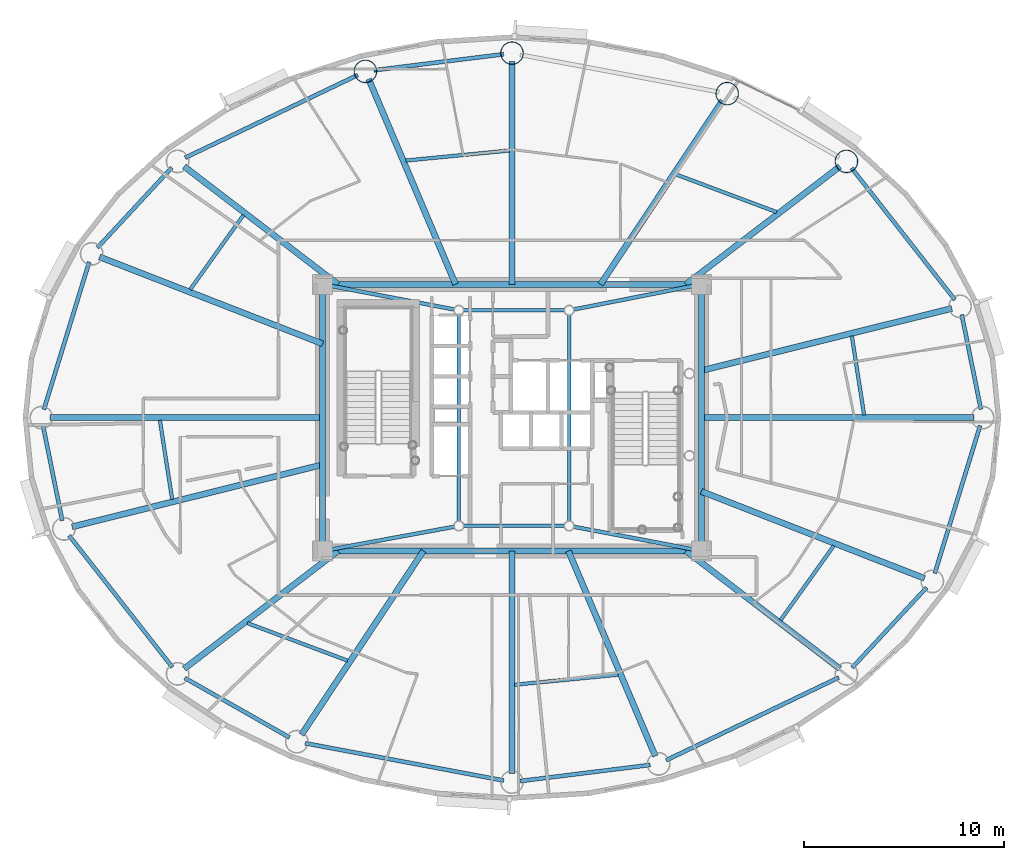
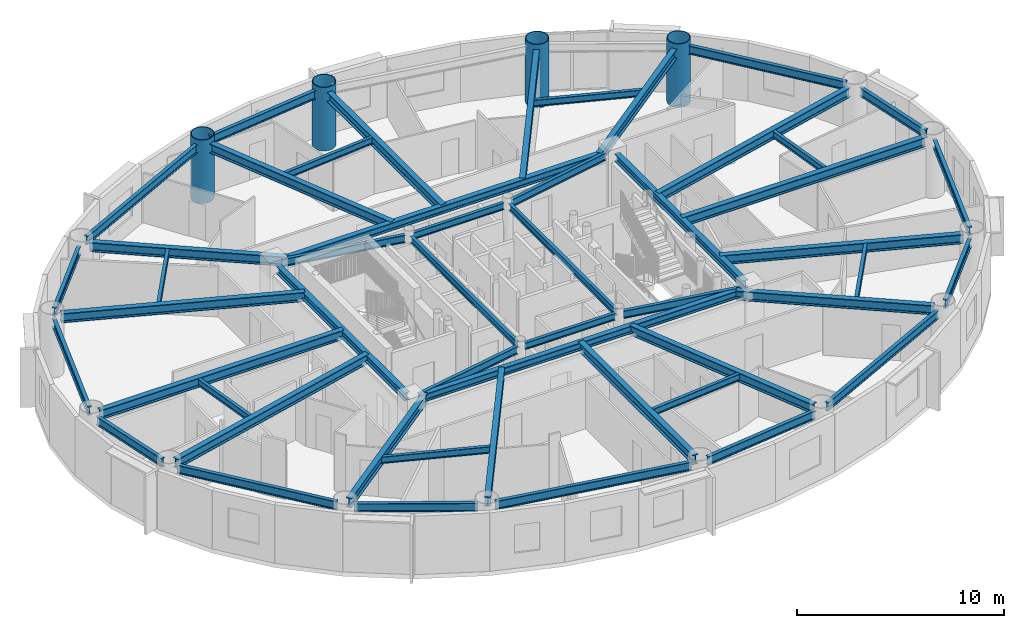
# One storey, part 3 of 18: 50 beams, 4 columns.
"""IFC4 building model written with IfcOpenShell, lengths in metres."""

from ifc_helpers import new_model, si_unit, direction, frame, origin, origin_2d, place, context, subcontext, project, spatial, hollow_circle, i_section, extrude, material, material_profile, profile_set, type_object, element, save


model = new_model("IFC4")

# Units and contexts
model_context = context("Model", 3, precision=1e-05, world=origin(), true_north=direction((0.0, 1.0)))
body_context = subcontext(model_context, "Body", "Model", "MODEL_VIEW")
ifc_project = project(units=[si_unit("LENGTHUNIT", "METRE"), si_unit("AREAUNIT", "SQUARE_METRE"), si_unit("VOLUMEUNIT", "CUBIC_METRE"), si_unit("PLANEANGLEUNIT", "RADIAN"), si_unit("MASSUNIT", "GRAM", prefix="KILO")], contexts=[model_context])

# Site, building, storey
site_placement = place(None, origin())
site = spatial("IfcSite", under=ifc_project, at=site_placement, CompositionType="ELEMENT")
building_placement = place(site_placement, origin())
building = spatial("IfcBuilding", under=site, at=building_placement, Name="Linh Dai School and Residence Tower", CompositionType="ELEMENT")
storey_placement = place(building_placement, frame((0.0, 0.0, 259.050048828125)))
storey = spatial("IfcBuildingStorey", under=building, at=storey_placement, Name="L64", CompositionType="ELEMENT", Elevation=259.050048828125)

# Columns
ifc_material = material(Name="Structural Steel S355JR", Category="steel")
ifc_material_profile_1 = material_profile(ifc_material, hollow_circle(Radius=0.574951171875, WallThickness=0.035888671875, at=origin_2d()), Name="CHS 1150x36")
ifc_profile_set_1 = profile_set([ifc_material_profile_1], Name="Structural Steel S355JR")
column_type = type_object("IfcColumnType", Name="COL-MC5", PredefinedType="COLUMN", material=ifc_profile_set_1)
for number, where, z_axis, x_axis, name in (
    (1, (52.68310546875, 39.781005859375, 0.0), (0.0, 0.0, 1.0), (1.0, 0.0, 0.0), "L64 Perimeter CFT Mega-Column MC03"),
    (2, (46.734619140625, 43.16357421875, 0.0), (0.0, 0.0, 1.0), (1.0, 0.0, 0.0), "L64 Perimeter CFT Mega-Column MC04"),
    (3, (36.0, 45.179931640625, 0.0), (0.0, 0.0, 1.0), (1.0, 0.0, 0.0), "L64 Perimeter CFT Mega-Column MC05"),
    (4, (28.68798828125, 44.2734375, 0.0), (0.0, 0.0, 1.0), (1.0, 0.0, 0.0), "L64 Perimeter CFT Mega-Column MC06"),
):
    element("IfcColumn", number, at=place(storey_placement, frame(where, z_axis=z_axis, x_axis=x_axis)), inside=storey, type_object=column_type, Name=name, PredefinedType="COLUMN", context=body_context, shape_type="SweptSolid", body=[
        extrude(hollow_circle(Radius=0.574951171875, WallThickness=0.035888671875, at=origin_2d()), origin(), (0.0, 0.0, 1.0), 3.75),
    ])

# Beams
ifc_material_profile_2 = material_profile(ifc_material, i_section(OverallWidth=0.199951171875, OverallDepth=0.5, WebThickness=0.01025390625, FlangeThickness=0.01611328125, FilletRadius=0.02099609375, at=origin_2d()), Name="IPE 500")
ifc_profile_set_2 = profile_set([ifc_material_profile_2], Name="Structural Steel S355JR")
beam_type_1 = type_object("IfcBeamType", Name="BM-RB50", PredefinedType="BEAM", material=ifc_profile_set_2)
beam_1_placement = place(storey_placement, frame((59.3916015625, 27.41162109375, 3.199951171875), z_axis=(-0.198423200906, 0.980116438666, 0.0), x_axis=(-0.980116438666, -0.198423200906, 0.0)))
element("IfcBeam", 5, at=beam_1_placement, inside=storey, type_object=beam_type_1, Name="L64 Perimeter Elliptical Ring Beam 01", PredefinedType="BEAM", context=body_context, shape_type="SweptSolid", body=[
    extrude(i_section(OverallWidth=0.199951171875, OverallDepth=0.5, WebThickness=0.01025390625, FlangeThickness=0.01611328125, FilletRadius=0.02099609375, at=origin_2d()), origin(), (0.0, 0.0, 1.0), 4.822021484375),
])
beam_2_placement = place(storey_placement, frame((58.09228515625, 32.8798828125, 3.199951171875), z_axis=(-0.616900268003, 0.787041332674, 0.0), x_axis=(-0.787041332674, -0.616900268003, 0.0)))
element("IfcBeam", 6, at=beam_2_placement, inside=storey, type_object=beam_type_1, Name="L64 Perimeter Elliptical Ring Beam 02", PredefinedType="BEAM", context=body_context, shape_type="SweptSolid", body=[
    extrude(i_section(OverallWidth=0.199951171875, OverallDepth=0.5, WebThickness=0.01025390625, FlangeThickness=0.01611328125, FilletRadius=0.02099609375, at=origin_2d()), origin(), (0.0, 0.0, 1.0), 8.348388671875),
])
beam_3_placement = place(storey_placement, frame((35.583251953125, 45.12841796875, 3.199951171875), z_axis=(-0.992401656104, -0.123040452539, 0.0), x_axis=(0.123040452539, -0.992401656104, 0.0)))
element("IfcBeam", 7, at=beam_3_placement, inside=storey, type_object=beam_type_1, Name="L64 Perimeter Elliptical Ring Beam 05", PredefinedType="BEAM", context=body_context, shape_type="SweptSolid", body=[
    extrude(i_section(OverallWidth=0.199951171875, OverallDepth=0.5, WebThickness=0.01025390625, FlangeThickness=0.01611328125, FilletRadius=0.02099609375, at=origin_2d()), origin(), (0.0, 0.0, 1.0), 6.528076171875),
])
beam_4_placement = place(storey_placement, frame((28.309326171875, 44.092041015625, 3.199951171875), z_axis=(-0.901735920201, -0.432287323686, 0.0), x_axis=(0.432287323686, -0.901735920201, 0.0)))
element("IfcBeam", 8, at=beam_4_placement, inside=storey, type_object=beam_type_1, Name="L64 Perimeter Elliptical Ring Beam 06", PredefinedType="BEAM", context=body_context, shape_type="SweptSolid", body=[
    extrude(i_section(OverallWidth=0.199951171875, OverallDepth=0.5, WebThickness=0.01025390625, FlangeThickness=0.01611328125, FilletRadius=0.02099609375, at=origin_2d()), origin(), (0.0, 0.0, 1.0), 9.552490234375),
])
beam_5_placement = place(storey_placement, frame((19.031005859375, 39.47314453125, 3.199951171875), z_axis=(-0.68040816846, -0.732833353699, 0.0), x_axis=(0.732833353699, -0.68040816846, 0.0)))
element("IfcBeam", 9, at=beam_5_placement, inside=storey, type_object=beam_type_1, Name="L64 Perimeter Elliptical Ring Beam 07", PredefinedType="BEAM", context=body_context, shape_type="SweptSolid", body=[
    extrude(i_section(OverallWidth=0.199951171875, OverallDepth=0.5, WebThickness=0.01025390625, FlangeThickness=0.01611328125, FilletRadius=0.02099609375, at=origin_2d()), origin(), (0.0, 0.0, 1.0), 5.453369140625),
])
beam_6_placement = place(storey_placement, frame((14.911376953125, 34.767578125, 3.199951171875), z_axis=(-0.293660595717, -0.95590975229, 0.0), x_axis=(0.95590975229, -0.293660595717, 0.0)))
element("IfcBeam", 10, at=beam_6_placement, inside=storey, type_object=beam_type_1, Name="L64 Perimeter Elliptical Ring Beam 08", PredefinedType="BEAM", context=body_context, shape_type="SweptSolid", body=[
    extrude(i_section(OverallWidth=0.199951171875, OverallDepth=0.5, WebThickness=0.01025390625, FlangeThickness=0.01611328125, FilletRadius=0.02099609375, at=origin_2d()), origin(), (0.0, 0.0, 1.0), 7.7060546875),
])
beam_7_placement = place(storey_placement, frame((12.6083984375, 26.58837890625, 3.199951171875), z_axis=(0.198423200906, -0.980116438666, 0.0), x_axis=(0.980116438666, 0.198423200906, 0.0)))
element("IfcBeam", 11, at=beam_7_placement, inside=storey, type_object=beam_type_1, Name="L64 Perimeter Elliptical Ring Beam 09", PredefinedType="BEAM", context=body_context, shape_type="SweptSolid", body=[
    extrude(i_section(OverallWidth=0.199951171875, OverallDepth=0.5, WebThickness=0.01025390625, FlangeThickness=0.01611328125, FilletRadius=0.02099609375, at=origin_2d()), origin(), (0.0, 0.0, 1.0), 4.822021484375),
])
beam_8_placement = place(storey_placement, frame((13.90771484375, 21.1201171875, 3.199951171875), z_axis=(0.616900268003, -0.787041332674, 0.0), x_axis=(0.787041332674, 0.616900268003, 0.0)))
element("IfcBeam", 12, at=beam_8_placement, inside=storey, type_object=beam_type_1, Name="L64 Perimeter Elliptical Ring Beam 10", PredefinedType="BEAM", context=body_context, shape_type="SweptSolid", body=[
    extrude(i_section(OverallWidth=0.199951171875, OverallDepth=0.5, WebThickness=0.01025390625, FlangeThickness=0.01611328125, FilletRadius=0.02099609375, at=origin_2d()), origin(), (0.0, 0.0, 1.0), 8.348388671875),
])
beam_9_placement = place(storey_placement, frame((19.681884765625, 14.011474609375, 3.199951171875), z_axis=(0.869297314463, -0.494289570058, 0.0), x_axis=(0.494289570058, 0.869297314463, 0.0)))
element("IfcBeam", 13, at=beam_9_placement, inside=storey, type_object=beam_type_1, Name="L64 Perimeter Elliptical Ring Beam 11", PredefinedType="BEAM", context=body_context, shape_type="SweptSolid", body=[
    extrude(i_section(OverallWidth=0.199951171875, OverallDepth=0.5, WebThickness=0.01025390625, FlangeThickness=0.01611328125, FilletRadius=0.02099609375, at=origin_2d()), origin(), (0.0, 0.0, 1.0), 6.003173828125),
])
beam_10_placement = place(storey_placement, frame((25.67822265625, 10.759033203125, 3.199951171875), z_axis=(0.982806607762, -0.184637947722, 0.0), x_axis=(0.184637947722, 0.982806607762, 0.0)))
element("IfcBeam", 14, at=beam_10_placement, inside=storey, type_object=beam_type_1, Name="L64 Perimeter Elliptical Ring Beam 12", PredefinedType="BEAM", context=body_context, shape_type="SweptSolid", body=[
    extrude(i_section(OverallWidth=0.199951171875, OverallDepth=0.5, WebThickness=0.01025390625, FlangeThickness=0.01611328125, FilletRadius=0.02099609375, at=origin_2d()), origin(), (0.0, 0.0, 1.0), 10.082275390625),
])
beam_11_placement = place(storey_placement, frame((36.416748046875, 8.87158203125, 3.199951171875), z_axis=(0.992401656104, 0.123040452539, 0.0), x_axis=(-0.123040452539, 0.992401656104, 0.0)))
element("IfcBeam", 15, at=beam_11_placement, inside=storey, type_object=beam_type_1, Name="L64 Perimeter Elliptical Ring Beam 13", PredefinedType="BEAM", context=body_context, shape_type="SweptSolid", body=[
    extrude(i_section(OverallWidth=0.199951171875, OverallDepth=0.5, WebThickness=0.01025390625, FlangeThickness=0.01611328125, FilletRadius=0.02099609375, at=origin_2d()), origin(), (0.0, 0.0, 1.0), 6.528076171875),
])
beam_12_placement = place(storey_placement, frame((43.690673828125, 9.907958984375, 3.199951171875), z_axis=(0.901735920201, 0.432287323686, 0.0), x_axis=(-0.432287323686, 0.901735920201, 0.0)))
element("IfcBeam", 16, at=beam_12_placement, inside=storey, type_object=beam_type_1, Name="L64 Perimeter Elliptical Ring Beam 14", PredefinedType="BEAM", context=body_context, shape_type="SweptSolid", body=[
    extrude(i_section(OverallWidth=0.199951171875, OverallDepth=0.5, WebThickness=0.01025390625, FlangeThickness=0.01611328125, FilletRadius=0.02099609375, at=origin_2d()), origin(), (0.0, 0.0, 1.0), 9.552490234375),
])
beam_13_placement = place(storey_placement, frame((52.968994140625, 14.52685546875, 3.199951171875), z_axis=(0.68040816846, 0.732833353699, 0.0), x_axis=(-0.732833353699, 0.68040816846, 0.0)))
element("IfcBeam", 17, at=beam_13_placement, inside=storey, type_object=beam_type_1, Name="L64 Perimeter Elliptical Ring Beam 15", PredefinedType="BEAM", context=body_context, shape_type="SweptSolid", body=[
    extrude(i_section(OverallWidth=0.199951171875, OverallDepth=0.5, WebThickness=0.01025390625, FlangeThickness=0.01611328125, FilletRadius=0.02099609375, at=origin_2d()), origin(), (0.0, 0.0, 1.0), 5.453369140625),
])
beam_14_placement = place(storey_placement, frame((57.088623046875, 19.232421875, 3.199951171875), z_axis=(0.293660595717, 0.95590975229, 0.0), x_axis=(-0.95590975229, 0.293660595717, 0.0)))
element("IfcBeam", 18, at=beam_14_placement, inside=storey, type_object=beam_type_1, Name="L64 Perimeter Elliptical Ring Beam 16", PredefinedType="BEAM", context=body_context, shape_type="SweptSolid", body=[
    extrude(i_section(OverallWidth=0.199951171875, OverallDepth=0.5, WebThickness=0.01025390625, FlangeThickness=0.01611328125, FilletRadius=0.02099609375, at=origin_2d()), origin(), (0.0, 0.0, 1.0), 7.7060546875),
])
ifc_material_profile_3 = material_profile(ifc_material, i_section(OverallWidth=0.300048828125, OverallDepth=0.449951171875, WebThickness=0.013916015625, FlangeThickness=0.02587890625, FilletRadius=0.027099609375, at=origin_2d()), Name="HEB 450")
ifc_profile_set_3 = profile_set([ifc_material_profile_3], Name="Structural Steel S355JR")
beam_type_2 = type_object("IfcBeamType", Name="BM-RG45", PredefinedType="BEAM", material=ifc_profile_set_3)
beam_15_placement = place(storey_placement, frame((26.969970703125, 20.35009765625, 3.224853515625), z_axis=(1.0, 0.0, 0.0), x_axis=(0.0, 1.0, 0.0)))
element("IfcBeam", 19, at=beam_15_placement, inside=storey, type_object=beam_type_2, Name="L64 Core Perimeter Coupling Girder 1", PredefinedType="BEAM", context=body_context, shape_type="SweptSolid", body=[
    extrude(i_section(OverallWidth=0.300048828125, OverallDepth=0.449951171875, WebThickness=0.013916015625, FlangeThickness=0.02587890625, FilletRadius=0.027099609375, at=origin_2d()), origin(), (0.0, 0.0, 1.0), 18.06005859375),
])
beam_16_placement = place(storey_placement, frame((45.449951171875, 20.77001953125, 3.224853515625), z_axis=(0.0, 1.0, 0.0), x_axis=(-1.0, 0.0, 0.0)))
element("IfcBeam", 20, at=beam_16_placement, inside=storey, type_object=beam_type_2, Name="L64 Core Perimeter Coupling Girder 2", PredefinedType="BEAM", context=body_context, shape_type="SweptSolid", body=[
    extrude(i_section(OverallWidth=0.300048828125, OverallDepth=0.449951171875, WebThickness=0.013916015625, FlangeThickness=0.02587890625, FilletRadius=0.027099609375, at=origin_2d()), origin(), (0.0, 0.0, 1.0), 12.4599609375),
])
beam_17_placement = place(storey_placement, frame((45.030029296875, 33.64990234375, 3.224853515625), z_axis=(-1.0, 0.0, 0.0), x_axis=(0.0, -1.0, 0.0)))
element("IfcBeam", 21, at=beam_17_placement, inside=storey, type_object=beam_type_2, Name="L64 Core Perimeter Coupling Girder 3", PredefinedType="BEAM", context=body_context, shape_type="SweptSolid", body=[
    extrude(i_section(OverallWidth=0.300048828125, OverallDepth=0.449951171875, WebThickness=0.013916015625, FlangeThickness=0.02587890625, FilletRadius=0.027099609375, at=origin_2d()), origin(), (0.0, 0.0, 1.0), 18.06005859375),
])
beam_18_placement = place(storey_placement, frame((26.550048828125, 33.22998046875, 3.224853515625), z_axis=(0.0, -1.0, 0.0), x_axis=(1.0, 0.0, 0.0)))
element("IfcBeam", 22, at=beam_18_placement, inside=storey, type_object=beam_type_2, Name="L64 Core Perimeter Coupling Girder 4", PredefinedType="BEAM", context=body_context, shape_type="SweptSolid", body=[
    extrude(i_section(OverallWidth=0.300048828125, OverallDepth=0.449951171875, WebThickness=0.013916015625, FlangeThickness=0.02587890625, FilletRadius=0.027099609375, at=origin_2d()), origin(), (0.0, 0.0, 1.0), 12.4599609375),
])
ifc_material_profile_4 = material_profile(ifc_material, i_section(OverallWidth=0.300048828125, OverallDepth=0.550048828125, WebThickness=0.014892578125, FlangeThickness=0.029052734375, FilletRadius=0.027099609375, at=origin_2d()), Name="HEB 550")
ifc_profile_set_4 = profile_set([ifc_material_profile_4], Name="Structural Steel S355JR")
beam_type_3 = type_object("IfcBeamType", Name="BM-RG55", PredefinedType="BEAM", material=ifc_profile_set_4)
beam_19_placement = place(storey_placement, frame((45.449951171875, 27.0, 3.175048828125), z_axis=(1.0, 0.0, 0.0), x_axis=(0.0, 1.0, 0.0)))
element("IfcBeam", 23, at=beam_19_placement, inside=storey, type_object=beam_type_3, Name="L64 Primary Radial Floor Girder 01", PredefinedType="BEAM", context=body_context, shape_type="SweptSolid", body=[
    extrude(i_section(OverallWidth=0.300048828125, OverallDepth=0.550048828125, WebThickness=0.014892578125, FlangeThickness=0.029052734375, FilletRadius=0.027099609375, at=origin_2d()), origin(), (0.0, 0.0, 1.0), 13.60498046875),
])
beam_20_placement = place(storey_placement, frame((45.449951171875, 29.34619140625, 3.175048828125), z_axis=(0.970537241974, 0.240951160904, 0.0), x_axis=(-0.240951160904, 0.970537241974, 0.0)))
element("IfcBeam", 24, at=beam_20_placement, inside=storey, type_object=beam_type_3, Name="L64 Primary Radial Floor Girder 02", PredefinedType="BEAM", context=body_context, shape_type="SweptSolid", body=[
    extrude(i_section(OverallWidth=0.300048828125, OverallDepth=0.550048828125, WebThickness=0.014892578125, FlangeThickness=0.029052734375, FilletRadius=0.027099609375, at=origin_2d()), origin(), (0.0, 0.0, 1.0), 12.873291015625),
])
beam_21_placement = place(storey_placement, frame((44.680419921875, 33.64990234375, 3.175048828125), z_axis=(0.793814553483, 0.608159892363, 0.0), x_axis=(-0.608159892363, 0.793814553483, 0.0)))
element("IfcBeam", 25, at=beam_21_placement, inside=storey, type_object=beam_type_3, Name="L64 Primary Radial Floor Girder 03", PredefinedType="BEAM", context=body_context, shape_type="SweptSolid", body=[
    extrude(i_section(OverallWidth=0.300048828125, OverallDepth=0.550048828125, WebThickness=0.014892578125, FlangeThickness=0.029052734375, FilletRadius=0.027099609375, at=origin_2d()), origin(), (0.0, 0.0, 1.0), 9.661376953125),
])
beam_22_placement = place(storey_placement, frame((40.41650390625, 33.64990234375, 3.175048828125), z_axis=(0.553219177991, 0.833035738191, 0.0), x_axis=(-0.833035738191, 0.553219177991, 0.0)))
element("IfcBeam", 26, at=beam_22_placement, inside=storey, type_object=beam_type_3, Name="L64 Primary Radial Floor Girder 04", PredefinedType="BEAM", context=body_context, shape_type="SweptSolid", body=[
    extrude(i_section(OverallWidth=0.300048828125, OverallDepth=0.550048828125, WebThickness=0.014892578125, FlangeThickness=0.029052734375, FilletRadius=0.027099609375, at=origin_2d()), origin(), (0.0, 0.0, 1.0), 11.00048828125),
])
beam_23_placement = place(storey_placement, frame((36.0, 33.64990234375, 3.175048828125), z_axis=(0.0, 1.0, 0.0), x_axis=(-1.0, 0.0, 0.0)))
element("IfcBeam", 27, at=beam_23_placement, inside=storey, type_object=beam_type_3, Name="L64 Primary Radial Floor Girder 05", PredefinedType="BEAM", context=body_context, shape_type="SweptSolid", body=[
    extrude(i_section(OverallWidth=0.300048828125, OverallDepth=0.550048828125, WebThickness=0.014892578125, FlangeThickness=0.029052734375, FilletRadius=0.027099609375, at=origin_2d()), origin(), (0.0, 0.0, 1.0), 11.110107421875),
])
beam_24_placement = place(storey_placement, frame((33.18505859375, 33.64990234375, 3.175048828125), z_axis=(-0.389814803082, 0.920893272479, 0.0), x_axis=(-0.920893272479, -0.389814803082, 0.0)))
element("IfcBeam", 28, at=beam_24_placement, inside=storey, type_object=beam_type_3, Name="L64 Primary Radial Floor Girder 06", PredefinedType="BEAM", context=body_context, shape_type="SweptSolid", body=[
    extrude(i_section(OverallWidth=0.300048828125, OverallDepth=0.550048828125, WebThickness=0.014892578125, FlangeThickness=0.029052734375, FilletRadius=0.027099609375, at=origin_2d()), origin(), (0.0, 0.0, 1.0), 11.1162109375),
])
beam_25_placement = place(storey_placement, frame((27.319580078125, 33.64990234375, 3.175048828125), z_axis=(-0.793814553483, 0.608159892363, 0.0), x_axis=(-0.608159892363, -0.793814553483, 0.0)))
element("IfcBeam", 29, at=beam_25_placement, inside=storey, type_object=beam_type_3, Name="L64 Primary Radial Floor Girder 07", PredefinedType="BEAM", context=body_context, shape_type="SweptSolid", body=[
    extrude(i_section(OverallWidth=0.300048828125, OverallDepth=0.550048828125, WebThickness=0.014892578125, FlangeThickness=0.029052734375, FilletRadius=0.027099609375, at=origin_2d()), origin(), (0.0, 0.0, 1.0), 9.661376953125),
])
beam_26_placement = place(storey_placement, frame((26.550048828125, 30.68212890625, 3.175048828125), z_axis=(-0.931764994123, 0.363061972295, 0.0), x_axis=(-0.363061972295, -0.931764994123, 0.0)))
element("IfcBeam", 30, at=beam_26_placement, inside=storey, type_object=beam_type_3, Name="L64 Primary Radial Floor Girder 08", PredefinedType="BEAM", context=body_context, shape_type="SweptSolid", body=[
    extrude(i_section(OverallWidth=0.300048828125, OverallDepth=0.550048828125, WebThickness=0.014892578125, FlangeThickness=0.029052734375, FilletRadius=0.027099609375, at=origin_2d()), origin(), (0.0, 0.0, 1.0), 11.938720703125),
])
beam_27_placement = place(storey_placement, frame((26.550048828125, 27.0, 3.175048828125), z_axis=(-1.0, 0.0, 0.0), x_axis=(0.0, -1.0, 0.0)))
element("IfcBeam", 31, at=beam_27_placement, inside=storey, type_object=beam_type_3, Name="L64 Primary Radial Floor Girder 09", PredefinedType="BEAM", context=body_context, shape_type="SweptSolid", body=[
    extrude(i_section(OverallWidth=0.300048828125, OverallDepth=0.550048828125, WebThickness=0.014892578125, FlangeThickness=0.029052734375, FilletRadius=0.027099609375, at=origin_2d()), origin(), (0.0, 0.0, 1.0), 13.60498046875),
])
beam_28_placement = place(storey_placement, frame((26.550048828125, 24.65380859375, 3.175048828125), z_axis=(-0.970537241974, -0.240951160904, 0.0), x_axis=(0.240951160904, -0.970537241974, 0.0)))
element("IfcBeam", 32, at=beam_28_placement, inside=storey, type_object=beam_type_3, Name="L64 Primary Radial Floor Girder 10", PredefinedType="BEAM", context=body_context, shape_type="SweptSolid", body=[
    extrude(i_section(OverallWidth=0.300048828125, OverallDepth=0.550048828125, WebThickness=0.014892578125, FlangeThickness=0.029052734375, FilletRadius=0.027099609375, at=origin_2d()), origin(), (0.0, 0.0, 1.0), 12.873291015625),
])
beam_29_placement = place(storey_placement, frame((27.319580078125, 20.35009765625, 3.175048828125), z_axis=(-0.793814553483, -0.608159892363, 0.0), x_axis=(0.608159892363, -0.793814553483, 0.0)))
element("IfcBeam", 33, at=beam_29_placement, inside=storey, type_object=beam_type_3, Name="L64 Primary Radial Floor Girder 11", PredefinedType="BEAM", context=body_context, shape_type="SweptSolid", body=[
    extrude(i_section(OverallWidth=0.300048828125, OverallDepth=0.550048828125, WebThickness=0.014892578125, FlangeThickness=0.029052734375, FilletRadius=0.027099609375, at=origin_2d()), origin(), (0.0, 0.0, 1.0), 9.661376953125),
])
beam_30_placement = place(storey_placement, frame((31.58349609375, 20.35009765625, 3.175048828125), z_axis=(-0.553219177991, -0.833035738191, 0.0), x_axis=(0.833035738191, -0.553219177991, 0.0)))
element("IfcBeam", 34, at=beam_30_placement, inside=storey, type_object=beam_type_3, Name="L64 Primary Radial Floor Girder 12", PredefinedType="BEAM", context=body_context, shape_type="SweptSolid", body=[
    extrude(i_section(OverallWidth=0.300048828125, OverallDepth=0.550048828125, WebThickness=0.014892578125, FlangeThickness=0.029052734375, FilletRadius=0.027099609375, at=origin_2d()), origin(), (0.0, 0.0, 1.0), 11.00048828125),
])
beam_31_placement = place(storey_placement, frame((36.0, 20.35009765625, 3.175048828125), z_axis=(0.0, -1.0, 0.0), x_axis=(1.0, 0.0, 0.0)))
element("IfcBeam", 35, at=beam_31_placement, inside=storey, type_object=beam_type_3, Name="L64 Primary Radial Floor Girder 13", PredefinedType="BEAM", context=body_context, shape_type="SweptSolid", body=[
    extrude(i_section(OverallWidth=0.300048828125, OverallDepth=0.550048828125, WebThickness=0.014892578125, FlangeThickness=0.029052734375, FilletRadius=0.027099609375, at=origin_2d()), origin(), (0.0, 0.0, 1.0), 11.110107421875),
])
beam_32_placement = place(storey_placement, frame((38.81494140625, 20.35009765625, 3.175048828125), z_axis=(0.389814803082, -0.920893272479, 0.0), x_axis=(0.920893272479, 0.389814803082, 0.0)))
element("IfcBeam", 36, at=beam_32_placement, inside=storey, type_object=beam_type_3, Name="L64 Primary Radial Floor Girder 14", PredefinedType="BEAM", context=body_context, shape_type="SweptSolid", body=[
    extrude(i_section(OverallWidth=0.300048828125, OverallDepth=0.550048828125, WebThickness=0.014892578125, FlangeThickness=0.029052734375, FilletRadius=0.027099609375, at=origin_2d()), origin(), (0.0, 0.0, 1.0), 11.1162109375),
])
beam_33_placement = place(storey_placement, frame((44.680419921875, 20.35009765625, 3.175048828125), z_axis=(0.793814553483, -0.608159892363, 0.0), x_axis=(0.608159892363, 0.793814553483, 0.0)))
element("IfcBeam", 37, at=beam_33_placement, inside=storey, type_object=beam_type_3, Name="L64 Primary Radial Floor Girder 15", PredefinedType="BEAM", context=body_context, shape_type="SweptSolid", body=[
    extrude(i_section(OverallWidth=0.300048828125, OverallDepth=0.550048828125, WebThickness=0.014892578125, FlangeThickness=0.029052734375, FilletRadius=0.027099609375, at=origin_2d()), origin(), (0.0, 0.0, 1.0), 9.661376953125),
])
beam_34_placement = place(storey_placement, frame((45.449951171875, 23.31787109375, 3.175048828125), z_axis=(0.931764994123, -0.363061972295, 0.0), x_axis=(0.363061972295, 0.931764994123, 0.0)))
element("IfcBeam", 38, at=beam_34_placement, inside=storey, type_object=beam_type_3, Name="L64 Primary Radial Floor Girder 16", PredefinedType="BEAM", context=body_context, shape_type="SweptSolid", body=[
    extrude(i_section(OverallWidth=0.300048828125, OverallDepth=0.550048828125, WebThickness=0.014892578125, FlangeThickness=0.029052734375, FilletRadius=0.027099609375, at=origin_2d()), origin(), (0.0, 0.0, 1.0), 11.938720703125),
])
ifc_material_profile_5 = material_profile(ifc_material, i_section(OverallWidth=0.179931640625, OverallDepth=0.39990234375, WebThickness=0.008544921875, FlangeThickness=0.013427734375, FilletRadius=0.02099609375, at=origin_2d()), Name="IPE 400")
ifc_profile_set_5 = profile_set([ifc_material_profile_5], Name="Structural Steel S355JR")
beam_type_4 = type_object("IfcBeamType", Name="BM-SB40", PredefinedType="BEAM", material=ifc_profile_set_5)
beam_35_placement = place(storey_placement, frame((33.573974609375, 21.60009765625, 3.25), z_axis=(1.0, 0.0, 0.0), x_axis=(0.0, 1.0, 0.0)))
element("IfcBeam", 39, at=beam_35_placement, inside=storey, type_object=beam_type_4, Name="L64 Core Mast Pier Tie Beam 1", PredefinedType="BEAM", context=body_context, shape_type="SweptSolid", body=[
    extrude(i_section(OverallWidth=0.179931640625, OverallDepth=0.39990234375, WebThickness=0.008544921875, FlangeThickness=0.013427734375, FilletRadius=0.02099609375, at=origin_2d()), origin(), (0.0, 0.0, 1.0), 5.052001953125),
])
beam_36_placement = place(storey_placement, frame((38.85009765625, 21.823974609375, 3.25), z_axis=(0.0, 1.0, 0.0), x_axis=(-1.0, 0.0, 0.0)))
element("IfcBeam", 40, at=beam_36_placement, inside=storey, type_object=beam_type_4, Name="L64 Core Mast Pier Tie Beam 2", PredefinedType="BEAM", context=body_context, shape_type="SweptSolid", body=[
    extrude(i_section(OverallWidth=0.179931640625, OverallDepth=0.39990234375, WebThickness=0.008544921875, FlangeThickness=0.013427734375, FilletRadius=0.02099609375, at=origin_2d()), origin(), (0.0, 0.0, 1.0), 10.302001953125),
])
beam_37_placement = place(storey_placement, frame((38.6259765625, 32.35009765625, 3.25), z_axis=(-1.0, 0.0, 0.0), x_axis=(0.0, -1.0, 0.0)))
element("IfcBeam", 41, at=beam_37_placement, inside=storey, type_object=beam_type_4, Name="L64 Core Mast Pier Tie Beam 3", PredefinedType="BEAM", context=body_context, shape_type="SweptSolid", body=[
    extrude(i_section(OverallWidth=0.179931640625, OverallDepth=0.39990234375, WebThickness=0.008544921875, FlangeThickness=0.013427734375, FilletRadius=0.02099609375, at=origin_2d()), origin(), (0.0, 0.0, 1.0), 5.052001953125),
])
beam_38_placement = place(storey_placement, frame((33.35009765625, 32.1259765625, 3.25), z_axis=(0.0, -1.0, 0.0), x_axis=(1.0, 0.0, 0.0)))
element("IfcBeam", 42, at=beam_38_placement, inside=storey, type_object=beam_type_4, Name="L64 Core Mast Pier Tie Beam 4", PredefinedType="BEAM", context=body_context, shape_type="SweptSolid", body=[
    extrude(i_section(OverallWidth=0.179931640625, OverallDepth=0.39990234375, WebThickness=0.008544921875, FlangeThickness=0.013427734375, FilletRadius=0.02099609375, at=origin_2d()), origin(), (0.0, 0.0, 1.0), 10.302001953125),
])
beam_39_placement = place(storey_placement, frame((53.564697265625, 27.12841796875, 3.25), z_axis=(-0.153237508203, 0.988189387759, 0.0), x_axis=(-0.988189387759, -0.153237508203, 0.0)))
element("IfcBeam", 43, at=beam_39_placement, inside=storey, type_object=beam_type_4, Name="L64 Secondary Circumferential Floor Beam 01", PredefinedType="BEAM", context=body_context, shape_type="SweptSolid", body=[
    extrude(i_section(OverallWidth=0.179931640625, OverallDepth=0.39990234375, WebThickness=0.008544921875, FlangeThickness=0.013427734375, FilletRadius=0.02099609375, at=origin_2d()), origin(), (0.0, 0.0, 1.0), 3.994140625),
])
beam_40_placement = place(storey_placement, frame((49.2001953125, 37.25146484375, 3.25), z_axis=(-0.936528326754, 0.350591918315, 0.0), x_axis=(-0.350591918315, -0.936528326754, 0.0)))
element("IfcBeam", 44, at=beam_40_placement, inside=storey, type_object=beam_type_4, Name="L64 Secondary Circumferential Floor Beam 02", PredefinedType="BEAM", context=body_context, shape_type="SweptSolid", body=[
    extrude(i_section(OverallWidth=0.179931640625, OverallDepth=0.39990234375, WebThickness=0.008544921875, FlangeThickness=0.013427734375, FilletRadius=0.02099609375, at=origin_2d()), origin(), (0.0, 0.0, 1.0), 5.336181640625),
])
beam_41_placement = place(storey_placement, frame((35.87060546875, 40.324951171875, 3.25), z_axis=(-0.995332680487, -0.096503135467, 0.0), x_axis=(0.096503135467, -0.995332680487, 0.0)))
element("IfcBeam", 45, at=beam_41_placement, inside=storey, type_object=beam_type_4, Name="L64 Secondary Circumferential Floor Beam 03", PredefinedType="BEAM", context=body_context, shape_type="SweptSolid", body=[
    extrude(i_section(OverallWidth=0.179931640625, OverallDepth=0.39990234375, WebThickness=0.008544921875, FlangeThickness=0.013427734375, FilletRadius=0.02099609375, at=origin_2d()), origin(), (0.0, 0.0, 1.0), 5.188720703125),
])
beam_42_placement = place(storey_placement, frame((22.602294921875, 37.100341796875, 3.25), z_axis=(-0.582017423054, -0.813176314991, 0.0), x_axis=(0.813176314991, -0.582017423054, 0.0)))
element("IfcBeam", 46, at=beam_42_placement, inside=storey, type_object=beam_type_4, Name="L64 Secondary Circumferential Floor Beam 04", PredefinedType="BEAM", context=body_context, shape_type="SweptSolid", body=[
    extrude(i_section(OverallWidth=0.179931640625, OverallDepth=0.39990234375, WebThickness=0.008544921875, FlangeThickness=0.013427734375, FilletRadius=0.02099609375, at=origin_2d()), origin(), (0.0, 0.0, 1.0), 4.5625),
])
beam_43_placement = place(storey_placement, frame((18.435302734375, 26.87158203125, 3.25), z_axis=(0.153237508203, -0.988189387759, 0.0), x_axis=(0.988189387759, 0.153237508203, 0.0)))
element("IfcBeam", 47, at=beam_43_placement, inside=storey, type_object=beam_type_4, Name="L64 Secondary Circumferential Floor Beam 05", PredefinedType="BEAM", context=body_context, shape_type="SweptSolid", body=[
    extrude(i_section(OverallWidth=0.179931640625, OverallDepth=0.39990234375, WebThickness=0.008544921875, FlangeThickness=0.013427734375, FilletRadius=0.02099609375, at=origin_2d()), origin(), (0.0, 0.0, 1.0), 3.994140625),
])
beam_44_placement = place(storey_placement, frame((22.7998046875, 16.74853515625, 3.25), z_axis=(0.936528326754, -0.350591918315, 0.0), x_axis=(0.350591918315, 0.936528326754, 0.0)))
element("IfcBeam", 48, at=beam_44_placement, inside=storey, type_object=beam_type_4, Name="L64 Secondary Circumferential Floor Beam 06", PredefinedType="BEAM", context=body_context, shape_type="SweptSolid", body=[
    extrude(i_section(OverallWidth=0.179931640625, OverallDepth=0.39990234375, WebThickness=0.008544921875, FlangeThickness=0.013427734375, FilletRadius=0.02099609375, at=origin_2d()), origin(), (0.0, 0.0, 1.0), 5.336181640625),
])
beam_45_placement = place(storey_placement, frame((36.12939453125, 13.675048828125, 3.25), z_axis=(0.995332680487, 0.096503135467, 0.0), x_axis=(-0.096503135467, 0.995332680487, 0.0)))
element("IfcBeam", 49, at=beam_45_placement, inside=storey, type_object=beam_type_4, Name="L64 Secondary Circumferential Floor Beam 07", PredefinedType="BEAM", context=body_context, shape_type="SweptSolid", body=[
    extrude(i_section(OverallWidth=0.179931640625, OverallDepth=0.39990234375, WebThickness=0.008544921875, FlangeThickness=0.013427734375, FilletRadius=0.02099609375, at=origin_2d()), origin(), (0.0, 0.0, 1.0), 5.188720703125),
])
beam_46_placement = place(storey_placement, frame((49.397705078125, 16.899658203125, 3.25), z_axis=(0.582017423054, 0.813176314991, 0.0), x_axis=(-0.813176314991, 0.582017423054, 0.0)))
element("IfcBeam", 50, at=beam_46_placement, inside=storey, type_object=beam_type_4, Name="L64 Secondary Circumferential Floor Beam 08", PredefinedType="BEAM", context=body_context, shape_type="SweptSolid", body=[
    extrude(i_section(OverallWidth=0.179931640625, OverallDepth=0.39990234375, WebThickness=0.008544921875, FlangeThickness=0.013427734375, FilletRadius=0.02099609375, at=origin_2d()), origin(), (0.0, 0.0, 1.0), 4.5625),
])
ifc_material_profile_6 = material_profile(ifc_material, i_section(OverallWidth=0.18994140625, OverallDepth=0.449951171875, WebThickness=0.009521484375, FlangeThickness=0.0146484375, FilletRadius=0.02099609375, at=origin_2d()), Name="IPE 450")
ifc_profile_set_6 = profile_set([ifc_material_profile_6], Name="Structural Steel S355JR")
beam_type_5 = type_object("IfcBeamType", Name="BM-SB45", PredefinedType="BEAM", material=ifc_profile_set_6)
beam_47_placement = place(storey_placement, frame((26.963134765625, 20.426025390625, 3.224853515625), z_axis=(0.983521034508, 0.180793735182, 0.0), x_axis=(-0.180793735182, 0.983521034508, 0.0)))
element("IfcBeam", 51, at=beam_47_placement, inside=storey, type_object=beam_type_5, Name="L64 Core Corner-to-Mast Pier Beam 1", PredefinedType="BEAM", context=body_context, shape_type="SweptSolid", body=[
    extrude(i_section(OverallWidth=0.18994140625, OverallDepth=0.449951171875, WebThickness=0.009521484375, FlangeThickness=0.0146484375, FilletRadius=0.02099609375, at=origin_2d()), origin(), (0.0, 0.0, 1.0), 6.269775390625),
])
beam_48_placement = place(storey_placement, frame((45.037353515625, 20.42822265625, 3.224853515625), z_axis=(-0.982534706692, 0.186079418921, 0.0), x_axis=(-0.186079418921, -0.982534706692, 0.0)))
element("IfcBeam", 52, at=beam_48_placement, inside=storey, type_object=beam_type_5, Name="L64 Core Corner-to-Mast Pier Beam 2", PredefinedType="BEAM", context=body_context, shape_type="SweptSolid", body=[
    extrude(i_section(OverallWidth=0.18994140625, OverallDepth=0.449951171875, WebThickness=0.009521484375, FlangeThickness=0.0146484375, FilletRadius=0.02099609375, at=origin_2d()), origin(), (0.0, 0.0, 1.0), 6.0732421875),
])
beam_49_placement = place(storey_placement, frame((45.037841796875, 33.56884765625, 3.224853515625), z_axis=(-0.981147696489, -0.193259405138, 0.0), x_axis=(0.193259405138, -0.981147696489, 0.0)))
element("IfcBeam", 53, at=beam_49_placement, inside=storey, type_object=beam_type_5, Name="L64 Core Corner-to-Mast Pier Beam 3", PredefinedType="BEAM", context=body_context, shape_type="SweptSolid", body=[
    extrude(i_section(OverallWidth=0.18994140625, OverallDepth=0.449951171875, WebThickness=0.009521484375, FlangeThickness=0.0146484375, FilletRadius=0.02099609375, at=origin_2d()), origin(), (0.0, 0.0, 1.0), 6.082763671875),
])
beam_50_placement = place(storey_placement, frame((26.962646484375, 33.571044921875, 3.224853515625), z_axis=(0.982214129725, -0.187764222812, 0.0), x_axis=(0.187764222812, 0.982214129725, 0.0)))
element("IfcBeam", 54, at=beam_50_placement, inside=storey, type_object=beam_type_5, Name="L64 Core Corner-to-Mast Pier Beam 4", PredefinedType="BEAM", context=body_context, shape_type="SweptSolid", body=[
    extrude(i_section(OverallWidth=0.18994140625, OverallDepth=0.449951171875, WebThickness=0.009521484375, FlangeThickness=0.0146484375, FilletRadius=0.02099609375, at=origin_2d()), origin(), (0.0, 0.0, 1.0), 6.27880859375),
])

save(model, "model.ifc")
